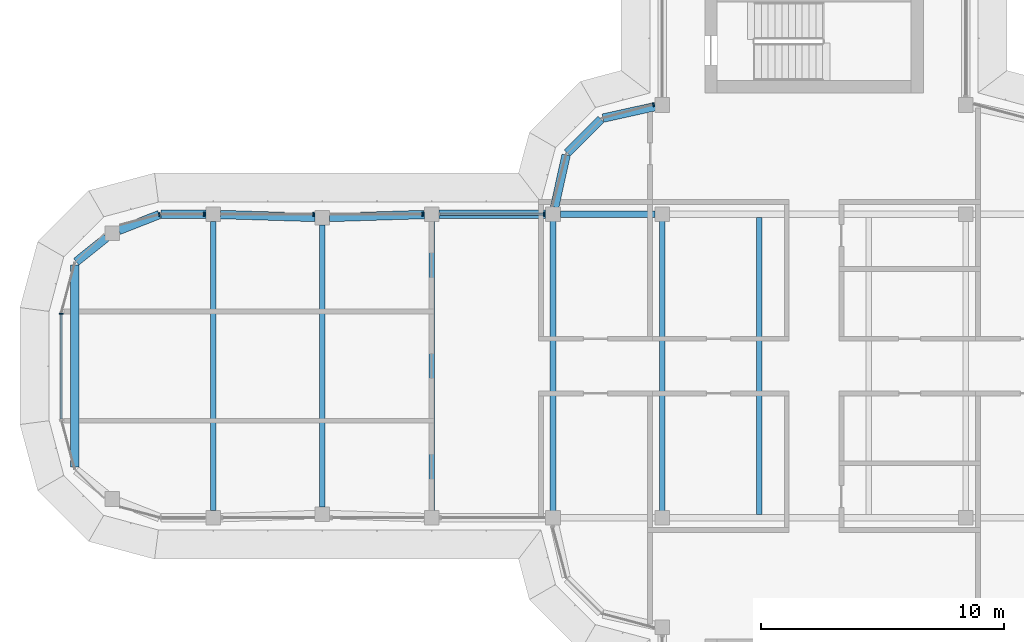
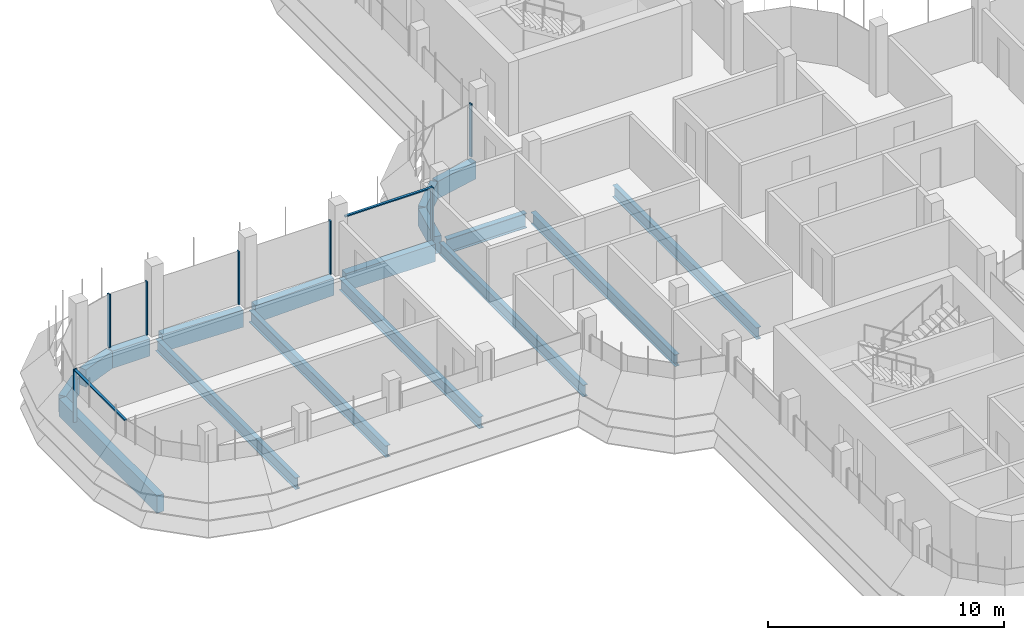
# One storey, part 6 of 19: 17 beams, 9 members, 4 elements without a shape of their own.
"""IFC4 building model written with IfcOpenShell, lengths in metres."""

import ifcopenshell
import ifcopenshell.guid

model = None  # the IFC model being written
_history = None  # IfcOwnerHistory: only IFC2X3 demands one
_inside = {}  # id of a spatial element -> (the spatial element, [elements in it])
_under = {}  # id of a project, library or spatial element -> (it, [spatial elements below it])
_declared = {}  # id of a project -> (the project, [libraries it declares])
_typed = {}  # id of a type object -> (the type object, [elements of that type])
_made_of = {}  # id of a material, layer set ... -> (it, [elements and type objects made of it])


def new_model(schema):
    """Start an empty IFC model of exactly this schema.

    Asked for "IFC4X3", IfcOpenShell would pick the latest addendum, in which some entities
    have other attributes; the version numbers below select the first issue.
    IFC2X3 requires an IfcOwnerHistory on every rooted entity: one is made here for all.
    """
    global model, _history
    if schema == "IFC4X3":
        model = ifcopenshell.file(schema_version=(4, 3, 0, 0))
    else:
        model = ifcopenshell.file(schema=schema)
    _inside.clear()
    _under.clear()
    _declared.clear()
    _typed.clear()
    _made_of.clear()
    _history = None
    if model.schema == "IFC2X3":
        org = make("IfcOrganization", Name="unknown")
        user = make(
            "IfcPersonAndOrganization",
            ThePerson=make("IfcPerson", FamilyName="unknown"),
            TheOrganization=org,
        )
        app = make(
            "IfcApplication",
            ApplicationDeveloper=org,
            Version="unknown",
            ApplicationFullName="unknown",
            ApplicationIdentifier="unknown",
        )
        _history = make(
            "IfcOwnerHistory",
            OwningUser=user,
            OwningApplication=app,
            ChangeAction="ADDED",
            CreationDate=0,
        )
    return model


def make(cls, **values):
    """One entity of the class cls with the attributes given. An attribute that is None is left unset."""
    return model.create_entity(
        cls, **{name: value for name, value in values.items() if value is not None}
    )


def rooted(cls, **values):
    """An entity with a GlobalId (a new one), such as an element, a storey or a relation."""
    return make(cls, GlobalId=ifcopenshell.guid.new(), OwnerHistory=_history, **values)


def si_unit(unit_type, name, prefix=None):
    """IfcSIUnit, for example si_unit("LENGTHUNIT", "METRE", prefix="MILLI")."""
    return make("IfcSIUnit", UnitType=unit_type, Prefix=prefix, Name=name)


def assignment(units):
    """IfcUnitAssignment: the units of a project."""
    return None if units is None else make("IfcUnitAssignment", Units=units)


def point(xyz):
    """IfcCartesianPoint."""
    return None if xyz is None else make("IfcCartesianPoint", Coordinates=xyz)


def direction(xyz):
    """IfcDirection."""
    return None if xyz is None else make("IfcDirection", DirectionRatios=xyz)


def frame(location, z_axis=None, x_axis=None):
    """IfcAxis2Placement3D, a coordinate frame: its origin and axes. An axis left out is left unset."""
    return make(
        "IfcAxis2Placement3D",
        Location=point(location),
        Axis=direction(z_axis),
        RefDirection=direction(x_axis),
    )


def frame_2d(location, x_axis=None):
    """IfcAxis2Placement2D, a coordinate frame in the plane: its origin and x axis."""
    return make(
        "IfcAxis2Placement2D", Location=point(location), RefDirection=direction(x_axis)
    )


def origin():
    """The frame at (0, 0, 0) with its axes left unset."""
    return frame((0.0, 0.0, 0.0))


def origin_2d():
    """The frame at (0, 0) in the plane with its x axis left unset."""
    return frame_2d((0.0, 0.0))


def place(relative_to, where):
    """IfcLocalPlacement: puts the frame where relative to a parent placement (None: the world)."""
    return make(
        "IfcLocalPlacement", PlacementRelTo=relative_to, RelativePlacement=where
    )


def context(
    kind, dimensions, precision=None, world=None, true_north=None, identifier=None
):
    """IfcGeometricRepresentationContext, for example the 3D "Model" context."""
    return make(
        "IfcGeometricRepresentationContext",
        ContextIdentifier=identifier,
        ContextType=kind,
        CoordinateSpaceDimension=dimensions,
        Precision=precision,
        WorldCoordinateSystem=world,
        TrueNorth=true_north,
    )


def subcontext(parent, identifier, kind, view, scale=None):
    """IfcGeometricRepresentationSubContext, for example "Body" below "Model"."""
    return make(
        "IfcGeometricRepresentationSubContext",
        ContextIdentifier=identifier,
        ContextType=kind,
        ParentContext=parent,
        TargetScale=scale,
        TargetView=view,
    )


def project(units=None, contexts=None):
    """IfcProject with its units and contexts."""
    return rooted(
        "IfcProject",
        Name="project",
        RepresentationContexts=contexts,
        UnitsInContext=assignment(units),
    )


def spatial(cls, under=None, at=None, **own):
    """A site, building, storey or space (cls), placed at a placement, below another one or the project."""
    s = rooted(cls, ObjectPlacement=at, **own)
    if under is not None:
        _under.setdefault(under.id(), (under, []))[1].append(s)
    return s


def polyline(points):
    """IfcPolyline through the points."""
    return make("IfcPolyline", Points=[point(p) for p in points])


def profile(cls, at=None, kind="AREA", **sizes):
    """A parametric profile (cls). Its sizes go by their IFC names, for example OverallWidth=200.0."""
    return make(cls, ProfileType=kind, Position=at, **sizes)


def rectangle(**sizes):
    """IfcRectangleProfileDef."""
    return profile("IfcRectangleProfileDef", **sizes)


def i_section(**sizes):
    """IfcIShapeProfileDef."""
    return profile("IfcIShapeProfileDef", **sizes)


def outline(outer, holes=None, kind="AREA"):
    """IfcArbitraryClosedProfileDef: a profile drawn as a closed curve; with holes, ...WithVoids."""
    if holes is None:
        return make("IfcArbitraryClosedProfileDef", ProfileType=kind, OuterCurve=outer)
    return make(
        "IfcArbitraryProfileDefWithVoids",
        ProfileType=kind,
        OuterCurve=outer,
        InnerCurves=holes,
    )


def extrude(swept, where, along, depth):
    """IfcExtrudedAreaSolid: the profile swept, set in the frame where, extruded along a direction by depth."""
    return make(
        "IfcExtrudedAreaSolid",
        SweptArea=swept,
        Position=where,
        ExtrudedDirection=direction(along),
        Depth=depth,
    )


def shape(context_of_items, identifier, shape_type, items):
    """IfcShapeRepresentation: the items that make up one representation, for example the "Body"."""
    return make(
        "IfcShapeRepresentation",
        ContextOfItems=context_of_items,
        RepresentationIdentifier=identifier,
        RepresentationType=shape_type,
        Items=items,
    )


def source(mapping_origin, context_of_items, identifier, shape_type, items):
    """IfcRepresentationMap: a shape defined once, which mapped items show again and again."""
    return make(
        "IfcRepresentationMap",
        MappingOrigin=mapping_origin,
        MappedRepresentation=shape(context_of_items, identifier, shape_type, items),
    )


def transform(
    local_origin,
    x_axis=None,
    y_axis=None,
    z_axis=None,
    scale=None,
    scale2=None,
    scale3=None,
    uniform=True,
):
    """IfcCartesianTransformationOperator3D, or its non-uniform kind. x_axis, y_axis, z_axis: its Axis1, 2, 3."""
    if uniform:
        return make(
            "IfcCartesianTransformationOperator3D",
            Axis1=direction(x_axis),
            Axis2=direction(y_axis),
            LocalOrigin=point(local_origin),
            Scale=scale,
            Axis3=direction(z_axis),
        )
    return make(
        "IfcCartesianTransformationOperator3DnonUniform",
        Axis1=direction(x_axis),
        Axis2=direction(y_axis),
        LocalOrigin=point(local_origin),
        Scale=scale,
        Axis3=direction(z_axis),
        Scale2=scale2,
        Scale3=scale3,
    )


def mapped(mapping_source, mapping_target):
    """IfcMappedItem: shows the shape of a source again, moved by a transform."""
    return make(
        "IfcMappedItem", MappingSource=mapping_source, MappingTarget=mapping_target
    )


def material(Name=None, Category=None):
    """IfcMaterial."""
    return make("IfcMaterial", Name=Name, Category=Category)


def material_profile(
    of_material, cross_section, Name=None, Category=None, Priority=None
):
    """IfcMaterialProfile: a cross section and its material."""
    return make(
        "IfcMaterialProfile",
        Name=Name,
        Material=of_material,
        Profile=cross_section,
        Priority=Priority,
        Category=Category,
    )


def profile_set(profiles, Name=None, composite=None):
    """IfcMaterialProfileSet."""
    return make(
        "IfcMaterialProfileSet",
        Name=Name,
        MaterialProfiles=profiles,
        CompositeProfile=composite,
    )


def made_of(thing, what):
    """Note that an element or type object is made of a material, layer set ...; save() writes the relation."""
    if what is not None:
        _made_of.setdefault(what.id(), (what, []))[1].append(thing)
    return thing


def type_object(cls, material=None, **own):
    """A type object (cls), such as IfcWallType, which elements share."""
    return made_of(rooted(cls, **own), material)


def element(
    cls,
    number,
    at=None,
    inside=None,
    cuts=None,
    type_object=None,
    material=None,
    context=None,
    identifier="Body",
    shape_type=None,
    held_by="IfcProductDefinitionShape",
    body=None,
    shapes=None,
    **own,
):
    """One element of the class cls, such as IfcWall. Its Tag is "e" and its number.

    at: its placement. inside: the storey or other place that contains it. cuts: it is an
    opening in that element (IfcRelVoidsElement). A single representation is given by context,
    identifier, shape_type and body (its items); several are given by shapes. held_by: the class
    of the entity that holds the representations. save() writes the other relations.
    """
    e = rooted(cls, Tag="e%d" % number, ObjectPlacement=at, **own)
    if body is not None:
        shapes = [shape(context, identifier, shape_type, body)]
    if shapes is not None:
        e.Representation = make(held_by, Representations=shapes)
    if inside is not None:
        _inside.setdefault(inside.id(), (inside, []))[1].append(e)
    if cuts is not None:
        rooted(
            "IfcRelVoidsElement", RelatingBuildingElement=cuts, RelatedOpeningElement=e
        )
    if type_object is not None:
        _typed.setdefault(type_object.id(), (type_object, []))[1].append(e)
    return made_of(e, material)


def aggregate(whole, parts):
    """IfcRelAggregates: a whole, such as a stair, and the parts it consists of."""
    return rooted("IfcRelAggregates", RelatingObject=whole, RelatedObjects=parts)


def save(model, path):
    """Write the relations noted so far, then the file.

    IfcRelAggregates (storeys below a building ...), IfcRelContainedInSpatialStructure (elements
    in a storey), IfcRelDefinesByType, IfcRelAssociatesMaterial and IfcRelDeclares: one each for
    every whole, place, type object, material and project.
    """
    for whole, parts in _under.values():
        aggregate(whole, parts)
    for where, things in _inside.values():
        rooted(
            "IfcRelContainedInSpatialStructure",
            RelatedElements=things,
            RelatingStructure=where,
        )
    for kind, things in _typed.values():
        rooted("IfcRelDefinesByType", RelatedObjects=things, RelatingType=kind)
    for what, things in _made_of.values():
        rooted("IfcRelAssociatesMaterial", RelatedObjects=things, RelatingMaterial=what)
    for by, libraries in _declared.values():
        rooted("IfcRelDeclares", RelatingContext=by, RelatedDefinitions=libraries)
    model.write(path)


model = new_model("IFC4")

# Units and contexts
model_context = context("Model", 3, precision=1e-05, world=origin(), true_north=direction((0.0, 1.0)))
body_context = subcontext(model_context, "Body", "Model", "MODEL_VIEW")
ifc_project = project(units=[si_unit("LENGTHUNIT", "METRE"), si_unit("AREAUNIT", "SQUARE_METRE"), si_unit("VOLUMEUNIT", "CUBIC_METRE"), si_unit("PLANEANGLEUNIT", "RADIAN"), si_unit("MASSUNIT", "GRAM", prefix="KILO")], contexts=[model_context])

# Site, building, storey
site_placement = place(None, origin())
site = spatial("IfcSite", under=ifc_project, at=site_placement, CompositionType="ELEMENT")
building_placement = place(site_placement, origin())
building = spatial("IfcBuilding", under=site, at=building_placement, Name="Zarbagh Exchange Tower", CompositionType="ELEMENT")
storey_placement = place(building_placement, frame((0.0, 0.0, 268.800048828125)))
storey = spatial("IfcBuildingStorey", under=building, at=storey_placement, Name="L66", CompositionType="ELEMENT", Elevation=268.800048828125)

# Beams
ifc_material_1 = material(Name="Steel ASTM A992 Gr 50", Category="steel")
ifc_material_profile_1 = material_profile(ifc_material_1, i_section(OverallWidth=0.228271484375, OverallDepth=0.607177734375, WebThickness=0.01123046875, FlangeThickness=0.017333984375, at=origin_2d()), Name="W24X76")
ifc_profile_set_1 = profile_set([ifc_material_profile_1], Name="Steel ASTM A992 Gr 50")
beam_type_1 = type_object("IfcBeamType", Name="Floor beam W24X76", PredefinedType="BEAM", material=ifc_profile_set_1)
for number, where, z_axis, x_axis, name in (
    (1, (-10.75, -6.11669921875, -0.45361328125), (0.0, 1.0, 0.0), (-1.0, 0.0, 0.0), "Steel floor beam"),
    (2, (-6.25, -6.11669921875, -0.45361328125), (0.0, 1.0, 0.0), (-1.0, 0.0, 0.0), "Steel floor beam"),
    (3, (-2.25, -6.11669921875, -0.45361328125), (0.0, 1.0, 0.0), (-1.0, 0.0, 0.0), "Steel floor beam"),
):
    element("IfcBeam", number, at=place(storey_placement, frame(where, z_axis=z_axis, x_axis=x_axis)), inside=storey, type_object=beam_type_1, Name=name, PredefinedType="BEAM", context=body_context, shape_type="SweptSolid", body=[
        extrude(i_section(OverallWidth=0.228271484375, OverallDepth=0.607177734375, WebThickness=0.01123046875, FlangeThickness=0.017333984375, at=origin_2d()), origin(), (0.0, 0.0, 1.0), 12.2333984375),
    ])
beam_1_placement = place(storey_placement, frame((-15.75, -5.949951171875, -0.45361328125), z_axis=(0.0, 1.0, 0.0), x_axis=(-1.0, 0.0, 0.0)))
element("IfcBeam", 4, at=beam_1_placement, inside=storey, type_object=beam_type_1, Name="Steel floor beam", PredefinedType="BEAM", context=body_context, shape_type="SweptSolid", body=[
    extrude(i_section(OverallWidth=0.228271484375, OverallDepth=0.607177734375, WebThickness=0.01123046875, FlangeThickness=0.017333984375, at=origin_2d()), origin(), (0.0, 0.0, 1.0), 11.89990234375),
])
beam_2_placement = place(storey_placement, frame((-20.25, -5.81005859375, -0.45361328125), z_axis=(0.0, 1.0, 0.0), x_axis=(-1.0, 0.0, 0.0)))
element("IfcBeam", 5, at=beam_2_placement, inside=storey, type_object=beam_type_1, Name="Steel floor beam", PredefinedType="BEAM", context=body_context, shape_type="SweptSolid", body=[
    extrude(i_section(OverallWidth=0.228271484375, OverallDepth=0.607177734375, WebThickness=0.01123046875, FlangeThickness=0.017333984375, at=origin_2d()), origin(), (0.0, 0.0, 1.0), 11.6201171875),
])
beam_3_placement = place(storey_placement, frame((-24.75, -5.949951171875, -0.45361328125), z_axis=(0.0, 1.0, 0.0), x_axis=(-1.0, 0.0, 0.0)))
element("IfcBeam", 6, at=beam_3_placement, inside=storey, type_object=beam_type_1, Name="Steel floor beam", PredefinedType="BEAM", context=body_context, shape_type="SweptSolid", body=[
    extrude(i_section(OverallWidth=0.228271484375, OverallDepth=0.607177734375, WebThickness=0.01123046875, FlangeThickness=0.017333984375, at=origin_2d()), origin(), (0.0, 0.0, 1.0), 11.89990234375),
])
ifc_material_profile_2 = material_profile(ifc_material_1, i_section(OverallWidth=0.2666015625, OverallDepth=0.7568359375, WebThickness=0.013916015625, FlangeThickness=0.019287109375, at=origin_2d()), Name="W30X108")
ifc_profile_set_2 = profile_set([ifc_material_profile_2], Name="Steel ASTM A992 Gr 50")
beam_type_2 = type_object("IfcBeamType", Name="Floor girder W30X108", PredefinedType="BEAM", material=ifc_profile_set_2)
beam_4_placement = place(storey_placement, frame((-10.449951171875, 6.25, -0.528564453125), z_axis=(1.0, 0.0, 0.0), x_axis=(0.0, 1.0, 0.0)))
element("IfcBeam", 7, at=beam_4_placement, inside=storey, type_object=beam_type_2, Name="Steel girder", PredefinedType="BEAM", context=body_context, shape_type="SweptSolid", body=[
    extrude(i_section(OverallWidth=0.2666015625, OverallDepth=0.7568359375, WebThickness=0.013916015625, FlangeThickness=0.019287109375, at=origin_2d()), origin(), (0.0, 0.0, 1.0), 3.89990234375),
])
ifc_material_2 = material(Name="Concrete C40/50", Category="concrete")
ifc_material_profile_3 = material_profile(ifc_material_2, rectangle(XDim=0.35009765625, YDim=0.89990234375, at=origin_2d()), Name="RC spandrel beam 350 x 900 C40/50")
ifc_profile_set_3 = profile_set([ifc_material_profile_3], Name="Concrete C40/50")
beam_type_3 = type_object("IfcBeamType", Name="RC spandrel beam 350 x 900 C40/50", PredefinedType="SPANDREL", material=ifc_profile_set_3)
beam_5_placement = place(storey_placement, frame((-30.44873046875, -4.156982421875, -0.60009765625), z_axis=(0.0, 1.0, 0.0), x_axis=(-1.0, 0.0, 0.0)))
element("IfcBeam", 8, at=beam_5_placement, inside=storey, type_object=beam_type_3, Name="RC spandrel beam", PredefinedType="SPANDREL", context=body_context, shape_type="SweptSolid", body=[
    extrude(rectangle(XDim=0.35009765625, YDim=0.89990234375, at=origin_2d()), origin(), (0.0, 0.0, 1.0), 8.31396484375),
])
beam_6_placement = place(storey_placement, frame((-30.38330078125, 4.293701171875, -0.60009765625), z_axis=(0.780584122498, 0.625050740104, 0.0), x_axis=(-0.625050740104, 0.780584122498, 0.0)))
element("IfcBeam", 9, at=beam_6_placement, inside=storey, type_object=beam_type_3, Name="RC spandrel beam", PredefinedType="SPANDREL", context=body_context, shape_type="SweptSolid", body=[
    extrude(rectangle(XDim=0.35009765625, YDim=0.89990234375, at=origin_2d()), origin(), (0.0, 0.0, 1.0), 1.590087890625),
])
beam_7_placement = place(storey_placement, frame((-28.62890625, 5.584716796875, -0.60009765625), z_axis=(0.930859366381, 0.365377667655, 0.0), x_axis=(-0.365377667655, 0.930859366381, 0.0)))
element("IfcBeam", 10, at=beam_7_placement, inside=storey, type_object=beam_type_3, Name="RC spandrel beam", PredefinedType="SPANDREL", context=body_context, shape_type="SweptSolid", body=[
    extrude(rectangle(XDim=0.35009765625, YDim=0.89990234375, at=origin_2d()), origin(), (0.0, 0.0, 1.0), 1.787353515625),
])
beam_8_placement = place(storey_placement, frame((-26.90087890625, 6.25, -0.60009765625), z_axis=(1.0, 0.0, 0.0), x_axis=(0.0, 1.0, 0.0)))
element("IfcBeam", 11, at=beam_8_placement, inside=storey, type_object=beam_type_3, Name="RC spandrel beam", PredefinedType="SPANDREL", context=body_context, shape_type="SweptSolid", body=[
    extrude(rectangle(XDim=0.35009765625, YDim=0.89990234375, at=origin_2d()), origin(), (0.0, 0.0, 1.0), 1.850830078125),
])
for number, where, z_axis, x_axis, name in (
    (12, (-24.4501953125, 6.24072265625, -0.60009765625), (0.999516460907, -0.031094121249, 0.0), (0.031094121249, 0.999516460907, 0.0), "RC spandrel beam"),
    (13, (-19.9501953125, 6.119384765625, -0.60009765625), (0.999516460907, 0.031094121249, 0.0), (-0.031094121249, 0.999516460907, 0.0), "RC spandrel beam"),
):
    element("IfcBeam", number, at=place(storey_placement, frame(where, z_axis=z_axis, x_axis=x_axis)), inside=storey, type_object=beam_type_3, Name=name, PredefinedType="SPANDREL", context=body_context, shape_type="SweptSolid", body=[
        extrude(rectangle(XDim=0.35009765625, YDim=0.89990234375, at=origin_2d()), origin(), (0.0, 0.0, 1.0), 3.90234375),
    ])
beam_9_placement = place(storey_placement, frame((-15.449951171875, 6.25, -0.60009765625), z_axis=(1.0, 0.0, 0.0), x_axis=(0.0, 1.0, 0.0)))
element("IfcBeam", 14, at=beam_9_placement, inside=storey, type_object=beam_type_3, Name="RC spandrel beam", PredefinedType="SPANDREL", context=body_context, shape_type="SweptSolid", body=[
    extrude(rectangle(XDim=0.35009765625, YDim=0.89990234375, at=origin_2d()), origin(), (0.0, 0.0, 1.0), 4.39990234375),
])
beam_10_placement = place(storey_placement, frame((-10.685302734375, 6.54296875, -0.60009765625), z_axis=(0.216025770228, 0.976387662047, 0.0), x_axis=(-0.976387662047, 0.216025770228, 0.0)))
element("IfcBeam", 15, at=beam_10_placement, inside=storey, type_object=beam_type_3, Name="RC spandrel beam", PredefinedType="SPANDREL", context=body_context, shape_type="SweptSolid", body=[
    extrude(rectangle(XDim=0.35009765625, YDim=0.89990234375, at=origin_2d()), origin(), (0.0, 0.0, 1.0), 2.200439453125),
])
beam_11_placement = place(storey_placement, frame((-10.16259765625, 8.77734375, -0.60009765625), z_axis=(0.707106781187, 0.707106781187, 0.0), x_axis=(-0.707106781187, 0.707106781187, 0.0)))
element("IfcBeam", 16, at=beam_11_placement, inside=storey, type_object=beam_type_3, Name="RC spandrel beam", PredefinedType="SPANDREL", context=body_context, shape_type="SweptSolid", body=[
    extrude(rectangle(XDim=0.35009765625, YDim=0.89990234375, at=origin_2d()), origin(), (0.0, 0.0, 1.0), 1.958984375),
])
beam_12_placement = place(storey_placement, frame((-8.69140625, 10.2099609375, -0.60009765625), z_axis=(0.976387662047, 0.216025770228, 0.0), x_axis=(-0.216025770228, 0.976387662047, 0.0)))
element("IfcBeam", 17, at=beam_12_placement, inside=storey, type_object=beam_type_3, Name="RC spandrel beam", PredefinedType="SPANDREL", context=body_context, shape_type="SweptSolid", body=[
    extrude(rectangle(XDim=0.35009765625, YDim=0.89990234375, at=origin_2d()), origin(), (0.0, 0.0, 1.0), 2.200439453125),
])

# Curtain wall, member
ifc_material_3 = material(Name="Anodised aluminium frame and glazing", Category="aluminium")
curtain_wall_type = type_object("IfcCurtainWallType", Name="CWB Ribbon glazing, upper zones", PredefinedType="NOTDEFINED", material=ifc_material_3)
curtain_wall_1_placement = place(storey_placement, origin())
curtain_wall_1 = element("IfcCurtainWall", 18, at=curtain_wall_1_placement, inside=storey, type_object=curtain_wall_type, Name="CWB29 curtain wall", PredefinedType="NOTDEFINED")
ifc_material_4 = material(Name="Anodised aluminium frame", Category="aluminium")
member_type_1 = type_object("IfcMemberType", Name="MUB Mullion, anodised aluminium frame", PredefinedType="MULLION", material=ifc_material_4)
shared_shape_1 = source(origin(), body_context, "Body", "SweptSolid", [
    extrude(outline(polyline([(0.0, -0.080078125), (0.06005859375, -0.080078125), (0.06005859375, 0.080078125), (0.0, 0.080078125), (0.0, -0.080078125)])), origin(), (0.0, 0.0, 1.0), 2.75),
])
placement = place(storey_placement, origin())
member_1 = element("IfcMember", 19, at=placement, type_object=member_type_1, Name="CWB29 mullion 1.1", PredefinedType="MULLION", context=body_context, shape_type="MappedRepresentation", body=[
    mapped(shared_shape_1, transform((-6.590087890625, 10.775146484375, 0.0), x_axis=(-0.965924289636, -0.258824779902, 0.0), y_axis=(0.258824779902, -0.965924289636, 0.0), z_axis=(0.0, 0.0, 1.0))),
])
aggregate(curtain_wall_1, [member_1])

# Curtain wall, members
curtain_wall_2_placement = place(storey_placement, origin())
curtain_wall_2 = element("IfcCurtainWall", 20, at=curtain_wall_2_placement, inside=storey, type_object=curtain_wall_type, Name="CWB58 curtain wall", PredefinedType="NOTDEFINED")
member_2 = element("IfcMember", 21, at=placement, type_object=member_type_1, Name="CWB58 mullion 1.1", PredefinedType="MULLION", context=body_context, shape_type="MappedRepresentation", body=[
    mapped(shared_shape_1, transform((-11.090087890625, 6.25, 0.0), x_axis=(-1.0, 0.0, 0.0), y_axis=(0.0, -1.0, 0.0), z_axis=(0.0, 0.0, 1.0))),
])
member_3 = element("IfcMember", 22, at=placement, type_object=member_type_1, Name="CWB58 mullion 2.1", PredefinedType="MULLION", context=body_context, shape_type="MappedRepresentation", body=[
    mapped(shared_shape_1, transform((-16.090087890625, 6.25, 0.0), x_axis=(-1.0, 0.0, 0.0), y_axis=(0.0, -1.0, 0.0), z_axis=(0.0, 0.0, 1.0))),
])
member_4 = element("IfcMember", 23, at=placement, type_object=member_type_1, Name="CWB58 mullion 3.1", PredefinedType="MULLION", context=body_context, shape_type="MappedRepresentation", body=[
    mapped(shared_shape_1, transform((-20.590087890625, 6.25, 0.0), x_axis=(-1.0, 0.0, 0.0), y_axis=(0.0, -1.0, 0.0), z_axis=(0.0, 0.0, 1.0))),
])
member_5 = element("IfcMember", 24, at=placement, type_object=member_type_1, Name="CWB58 mullion 4.1", PredefinedType="MULLION", context=body_context, shape_type="MappedRepresentation", body=[
    mapped(shared_shape_1, transform((-25.090087890625, 6.25, 0.0), x_axis=(-1.0, 0.0, 0.0), y_axis=(0.0, -1.0, 0.0), z_axis=(0.0, 0.0, 1.0))),
])

# Curtain wall, member
curtain_wall_3_placement = place(storey_placement, origin())
curtain_wall_3 = element("IfcCurtainWall", 25, at=curtain_wall_3_placement, inside=storey, type_object=curtain_wall_type, Name="CWB59 curtain wall", PredefinedType="NOTDEFINED")
member_6 = element("IfcMember", 26, at=placement, type_object=member_type_1, Name="CWB59 mullion 1.1", PredefinedType="MULLION", context=body_context, shape_type="MappedRepresentation", body=[
    mapped(shared_shape_1, transform((-26.93408203125, 6.25, 0.0), x_axis=(-0.965924289636, -0.258824779902, 0.0), y_axis=(0.258824779902, -0.965924289636, 0.0), z_axis=(0.0, 0.0, 1.0))),
])
aggregate(curtain_wall_3, [member_6])

# Curtain wall, members
curtain_wall_4_placement = place(storey_placement, origin())
curtain_wall_4 = element("IfcCurtainWall", 27, at=curtain_wall_4_placement, inside=storey, type_object=curtain_wall_type, Name="CWB66 curtain wall", PredefinedType="NOTDEFINED")
member_7 = element("IfcMember", 28, at=placement, type_object=member_type_1, Name="CWB66 mullion 1.1", PredefinedType="MULLION", context=body_context, shape_type="MappedRepresentation", body=[
    mapped(shared_shape_1, transform((-31.0, 2.18408203125, 0.0), x_axis=(0.0, -1.0, 0.0), y_axis=(1.0, 0.0, 0.0), z_axis=(0.0, 0.0, 1.0))),
])
member_type_2 = type_object("IfcMemberType", Name="TRB Transom, anodised aluminium frame", PredefinedType="USERDEFINED", material=ifc_material_4)
shared_shape_2 = source(origin(), body_context, "Body", "SweptSolid", [
    extrude(outline(polyline([(-0.06005859375, -0.06005859375), (0.0, -0.06005859375), (0.0, 0.06005859375), (-0.06005859375, 0.06005859375), (-0.06005859375, -0.06005859375)])), origin(), (0.0, 0.0, 1.0), 4.308349609375),
])
member_8 = element("IfcMember", 29, at=placement, type_object=member_type_2, Name="CWB66 transom 1.1", ObjectType="TRANSOM", PredefinedType="USERDEFINED", context=body_context, shape_type="MappedRepresentation", body=[
    mapped(shared_shape_2, transform((-31.0, 2.124267578125, 2.75), x_axis=(0.0, 0.0, 1.0), y_axis=(-1.0, 0.0, 0.0), z_axis=(0.0, -1.0, 0.0))),
])
aggregate(curtain_wall_4, [member_7, member_8])

# Member
shared_shape_3 = source(origin(), body_context, "Body", "SweptSolid", [
    extrude(outline(polyline([(-0.06005859375, -0.06005859375), (0.0, -0.06005859375), (0.0, 0.06005859375), (-0.06005859375, 0.06005859375), (-0.06005859375, -0.06005859375)])), origin(), (0.0, 0.0, 1.0), 4.260009765625),
])
member_9 = element("IfcMember", 30, at=placement, type_object=member_type_2, Name="CWB58 transom 1.1", ObjectType="TRANSOM", PredefinedType="USERDEFINED", context=body_context, shape_type="MappedRepresentation", body=[
    mapped(shared_shape_3, transform((-11.150146484375, 6.25, 2.75), x_axis=(0.0, 0.0, 1.0), y_axis=(0.0, 1.0, 0.0), z_axis=(-1.0, 0.0, 0.0))),
])

aggregate(curtain_wall_2, [member_2, member_9, member_3, member_4, member_5])

save(model, "model.ifc")
